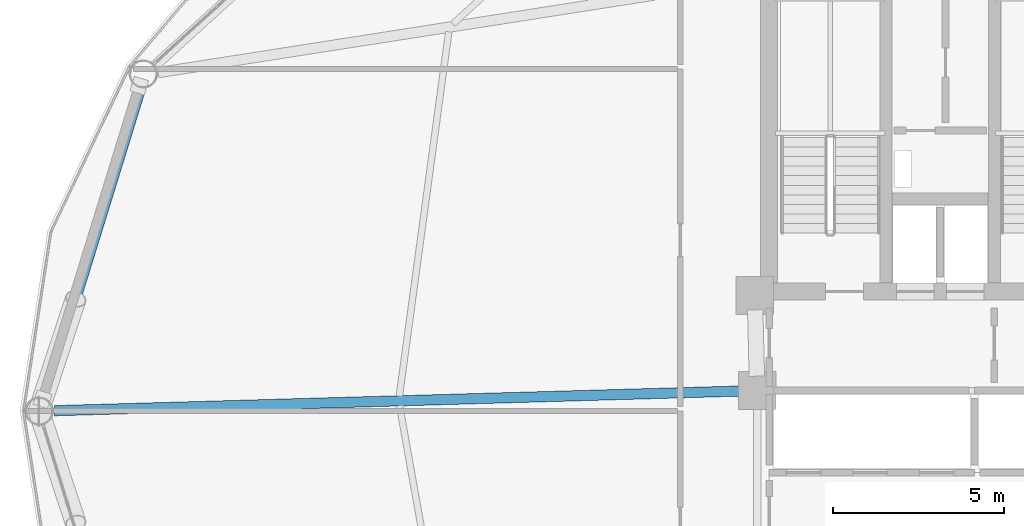
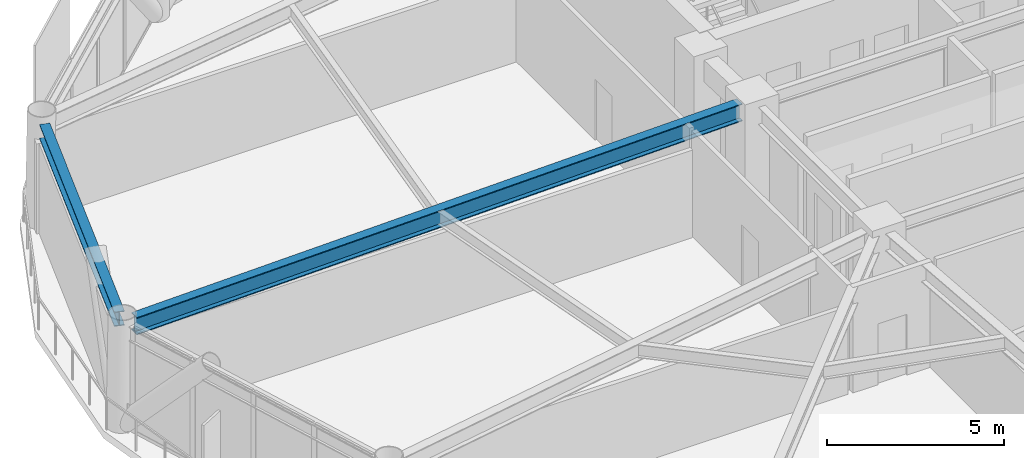
# One storey, part 9 of 26: 2 beams.
"""IFC4 building model written with IfcOpenShell, lengths in metres."""

from ifc_helpers import new_model, si_unit, direction, frame, origin, origin_2d, place, context, subcontext, project, spatial, i_section, extrude, material, material_profile, profile_set, type_object, element, save


model = new_model("IFC4")

# Units and contexts
model_context = context("Model", 3, precision=1e-05, world=origin(), true_north=direction((0.0, 1.0)))
body_context = subcontext(model_context, "Body", "Model", "MODEL_VIEW")
ifc_project = project(units=[si_unit("LENGTHUNIT", "METRE"), si_unit("AREAUNIT", "SQUARE_METRE"), si_unit("VOLUMEUNIT", "CUBIC_METRE"), si_unit("PLANEANGLEUNIT", "RADIAN"), si_unit("MASSUNIT", "GRAM", prefix="KILO")], contexts=[model_context])

# Site, building, storey
site_placement = place(None, origin())
site = spatial("IfcSite", under=ifc_project, at=site_placement, CompositionType="ELEMENT")
building_placement = place(site_placement, origin())
building = spatial("IfcBuilding", under=site, at=building_placement, Name="Varnakorn Sky Granary", CompositionType="ELEMENT")
storey_placement = place(building_placement, frame((0.0, 0.0, 87.60009765625)))
storey = spatial("IfcBuildingStorey", under=building, at=storey_placement, Name="L21", CompositionType="ELEMENT", Elevation=87.60009765625)

# Beams
ifc_material = material(Name="Steel S355JR", Category="steel")
ifc_material_profile_1 = material_profile(ifc_material, i_section(OverallWidth=0.300048828125, OverallDepth=0.60009765625, WebThickness=0.015380859375, FlangeThickness=0.030029296875, at=origin_2d()), Name="HE 600 B")
ifc_profile_set_1 = profile_set([ifc_material_profile_1], Name="Steel S355JR")
beam_type_1 = type_object("IfcBeamType", Name="BM-RAD-Z2", PredefinedType="BEAM", material=ifc_profile_set_1)
beam_1_placement = place(storey_placement, frame((-2.769775390625, 0.587890625, 3.33984375), z_axis=(-0.999589599678, -0.028646678975, 0.0), x_axis=(0.028646678975, -0.999589599678, 0.0)))
element("IfcBeam", 1, at=beam_1_placement, inside=storey, type_object=beam_type_1, Name="Radial Floor Girder RG07 L21", PredefinedType="BEAM", context=body_context, shape_type="SweptSolid", body=[
    extrude(i_section(OverallWidth=0.300048828125, OverallDepth=0.60009765625, WebThickness=0.015380859375, FlangeThickness=0.030029296875, at=origin_2d()), origin(), (0.0, 0.0, 1.0), 20.130126953125),
])
ifc_material_profile_2 = material_profile(ifc_material, i_section(OverallWidth=0.300048828125, OverallDepth=0.5, WebThickness=0.014404296875, FlangeThickness=0.028076171875, at=origin_2d()), Name="HE 500 B")
ifc_profile_set_2 = profile_set([ifc_material_profile_2], Name="Steel S355JR")
beam_type_2 = type_object("IfcBeamType", Name="BM-SPD-Z2", PredefinedType="SPANDREL", material=ifc_profile_set_2)
beam_2_placement = place(storey_placement, frame((-20.36328125, 9.45947265625, 3.389892578125), z_axis=(-0.294919318378, -0.955522158638, 0.0), x_axis=(0.955522158638, -0.294919318378, 0.0)))
element("IfcBeam", 2, at=beam_2_placement, inside=storey, type_object=beam_type_2, Name="Perimeter Spandrel Ring Beam RB06 L21", PredefinedType="SPANDREL", context=body_context, shape_type="SweptSolid", body=[
    extrude(i_section(OverallWidth=0.300048828125, OverallDepth=0.5, WebThickness=0.014404296875, FlangeThickness=0.028076171875, at=origin_2d()), origin(), (0.0, 0.0, 1.0), 9.50830078125),
])

save(model, "model.ifc")
